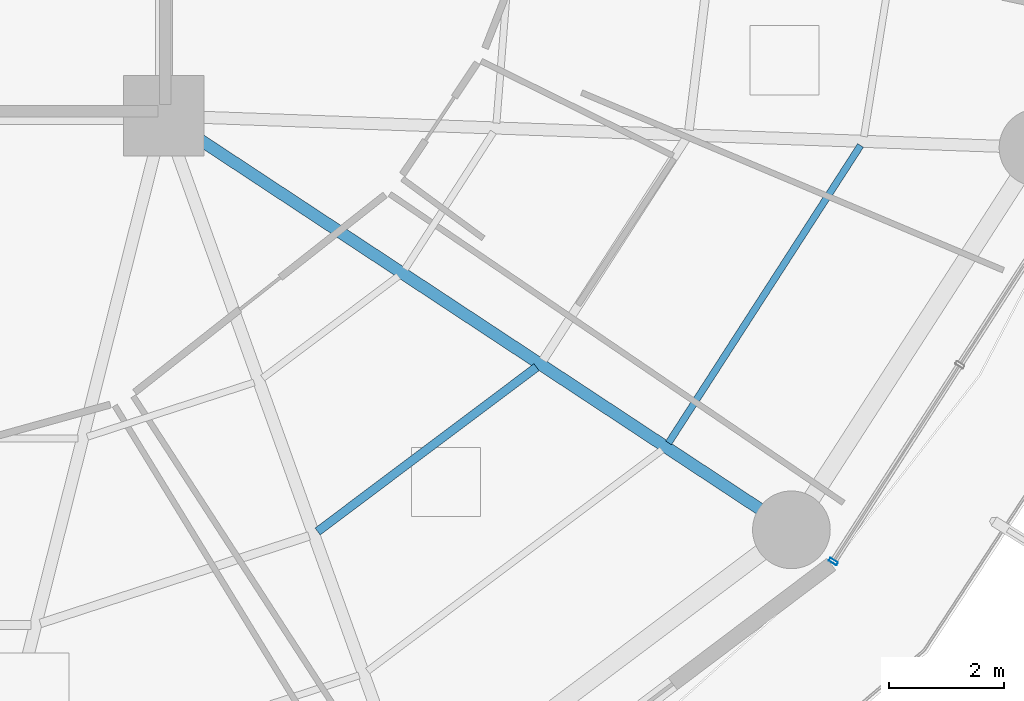
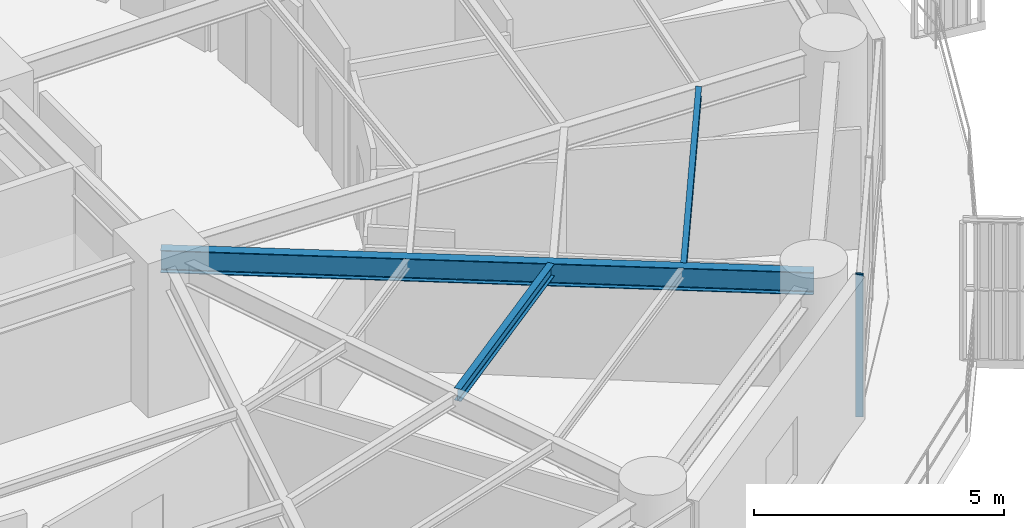
# One storey, part 10 of 34: 3 beams, 1 member, 1 element without a shape of its own.
"""IFC4 building model written with IfcOpenShell, lengths in metres."""

from ifc_helpers import new_model, si_unit, direction, frame, origin, origin_2d, place, context, subcontext, project, spatial, hollow_rectangle, i_section, extrude, material, layer, layer_set, material_profile, profile_set, type_object, element, aggregate, save


model = new_model("IFC4")

# Units and contexts
model_context = context("Model", 3, precision=1e-05, world=origin(), true_north=direction((0.0, 1.0)))
body_context = subcontext(model_context, "Body", "Model", "MODEL_VIEW")
ifc_project = project(units=[si_unit("LENGTHUNIT", "METRE"), si_unit("AREAUNIT", "SQUARE_METRE"), si_unit("VOLUMEUNIT", "CUBIC_METRE"), si_unit("PLANEANGLEUNIT", "RADIAN"), si_unit("MASSUNIT", "GRAM", prefix="KILO")], contexts=[model_context])

# Site, building, storey
site_placement = place(None, origin())
site = spatial("IfcSite", under=ifc_project, at=site_placement, CompositionType="ELEMENT")
building_placement = place(site_placement, origin())
building = spatial("IfcBuilding", under=site, at=building_placement, Name="Kelanora Arch Commons", CompositionType="ELEMENT")
storey_placement = place(building_placement, frame((0.0, 0.0, 76.35009765625)))
storey = spatial("IfcBuildingStorey", under=building, at=storey_placement, Name="L19", CompositionType="ELEMENT", Elevation=76.35009765625)

# Beams
ifc_material_1 = material(Name="Steel S355", Category="steel")
ifc_material_profile_1 = material_profile(ifc_material_1, i_section(OverallWidth=0.14990234375, OverallDepth=0.300048828125, WebThickness=0.007080078125, FlangeThickness=0.0107421875, FilletRadius=0.014892578125, at=origin_2d()), Name="IPE300")
ifc_profile_set_1 = profile_set([ifc_material_profile_1], Name="Steel S355")
beam_type_1 = type_object("IfcBeamType", Name="BM-JST-01", PredefinedType="JOIST", material=ifc_profile_set_1)
beam_1_placement = place(storey_placement, frame((84.672119140625, 43.77783203125, 3.33984375), z_axis=(0.79971039107, 0.600385951214, 0.0), x_axis=(-0.600385951214, 0.79971039107, 0.0)))
element("IfcBeam", 1, at=beam_1_placement, inside=storey, type_object=beam_type_1, Name="Secondary Chord Joist BJB-30 L19", PredefinedType="JOIST", context=body_context, shape_type="SweptSolid", body=[
    extrude(i_section(OverallWidth=0.14990234375, OverallDepth=0.300048828125, WebThickness=0.007080078125, FlangeThickness=0.0107421875, FilletRadius=0.014892578125, at=origin_2d()), origin(), (0.0, 0.0, 1.0), 4.756103515625),
])
ifc_material_profile_2 = material_profile(ifc_material_1, i_section(OverallWidth=0.1201171875, OverallDepth=0.239990234375, WebThickness=0.006103515625, FlangeThickness=0.009765625, FilletRadius=0.014892578125, at=origin_2d()), Name="IPE240")
ifc_profile_set_2 = profile_set([ifc_material_profile_2], Name="Steel S355")
beam_type_2 = type_object("IfcBeamType", Name="BM-JST-02", PredefinedType="JOIST", material=ifc_profile_set_2)
beam_2_placement = place(storey_placement, frame((90.77099609375, 45.317138671875, 3.369873046875), z_axis=(0.542212726273, 0.840241250754, 0.0), x_axis=(-0.840241250754, 0.542212726273, 0.0)))
element("IfcBeam", 2, at=beam_2_placement, inside=storey, type_object=beam_type_2, Name="Secondary Chord Joist BJC-32 L19", PredefinedType="JOIST", context=body_context, shape_type="SweptSolid", body=[
    extrude(i_section(OverallWidth=0.1201171875, OverallDepth=0.239990234375, WebThickness=0.006103515625, FlangeThickness=0.009765625, FilletRadius=0.014892578125, at=origin_2d()), origin(), (0.0, 0.0, 1.0), 6.15283203125),
])
ifc_material_profile_3 = material_profile(ifc_material_1, i_section(OverallWidth=0.2099609375, OverallDepth=0.550048828125, WebThickness=0.010986328125, FlangeThickness=0.01708984375, FilletRadius=0.02392578125, at=origin_2d()), Name="IPE550")
ifc_profile_set_3 = profile_set([ifc_material_profile_3], Name="Steel S355")
beam_type_3 = type_object("IfcBeamType", Name="BM-RAD-Z2", PredefinedType="BEAM", material=ifc_profile_set_3)
beam_3_placement = place(storey_placement, frame((82.0, 51.0, 3.21484375), z_axis=(0.834788577908, -0.550570640512, 0.0), x_axis=(0.550570640512, 0.834788577908, 0.0)))
element("IfcBeam", 3, at=beam_3_placement, inside=storey, type_object=beam_type_3, Name="Radial Floor Girder BR-32 L19", PredefinedType="BEAM", context=body_context, shape_type="SweptSolid", body=[
    extrude(i_section(OverallWidth=0.2099609375, OverallDepth=0.550048828125, WebThickness=0.010986328125, FlangeThickness=0.01708984375, FilletRadius=0.02392578125, at=origin_2d()), origin(), (0.0, 0.0, 1.0), 13.064453125),
])

# Curtain wall, member
ifc_material_2 = material(Name="Terracotta ceramic-fritted low-E glass and aluminium", Category="masonry")
ifc_layer = layer(ifc_material_2, 0.159912109375)
ifc_layer_set = layer_set([ifc_layer], Name="Terracotta ceramic-fritted low-E glass and aluminium")
curtain_wall_type = type_object("IfcCurtainWallType", Name="CW-SYS-01", PredefinedType="NOTDEFINED", material=ifc_layer_set)
curtain_wall_placement = place(storey_placement, origin())
curtain_wall = element("IfcCurtainWall", 4, at=curtain_wall_placement, inside=storey, type_object=curtain_wall_type, Name="Unitised Curtain Wall L19-B16", PredefinedType="NOTDEFINED")
ifc_material_3 = material(Name="Powder-coated aluminium terracotta", Category="masonry")
ifc_material_profile_4 = material_profile(ifc_material_3, hollow_rectangle(XDim=0.159912109375, YDim=0.06005859375, WallThickness=0.0048828125, InnerFilletRadius=0.0048828125, OuterFilletRadius=0.010009765625, at=origin_2d()), Name="CWM160x60")
ifc_profile_set_4 = profile_set([ifc_material_profile_4], Name="Powder-coated aluminium terracotta")
member_type = type_object("IfcMemberType", Name="CWM-STD", PredefinedType="MULLION", material=ifc_profile_set_4)
member_placement = place(storey_placement, frame((93.635009765625, 43.253662109375, 0.0), z_axis=(0.0, 0.0, 1.0), x_axis=(-0.841268883088, 0.540616931244, 0.0)))
member = element("IfcMember", 5, at=member_placement, type_object=member_type, Name="CW-01 mullion 1", PredefinedType="MULLION", context=body_context, shape_type="SweptSolid", body=[
    extrude(hollow_rectangle(XDim=0.159912109375, YDim=0.06005859375, WallThickness=0.0048828125, InnerFilletRadius=0.0048828125, OuterFilletRadius=0.010009765625, at=origin_2d()), origin(), (0.0, 0.0, 1.0), 3.474853515625),
])
aggregate(curtain_wall, [member])

save(model, "model.ifc")
